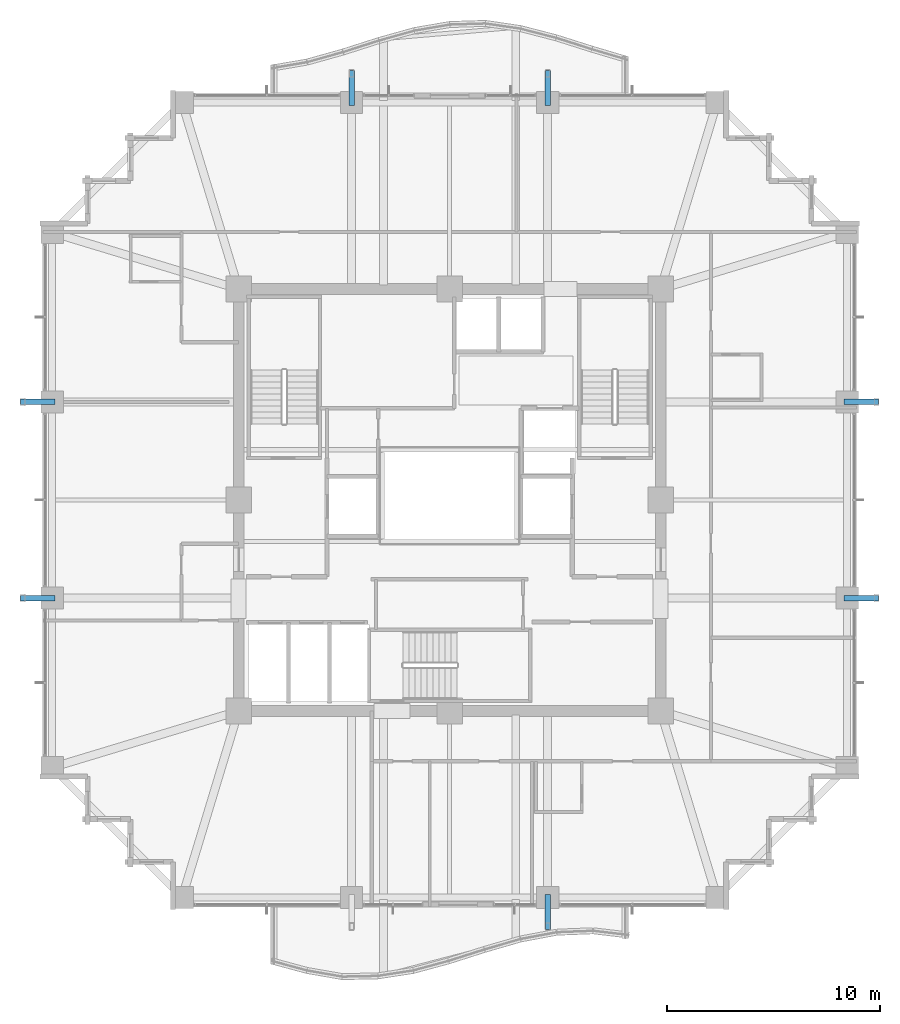
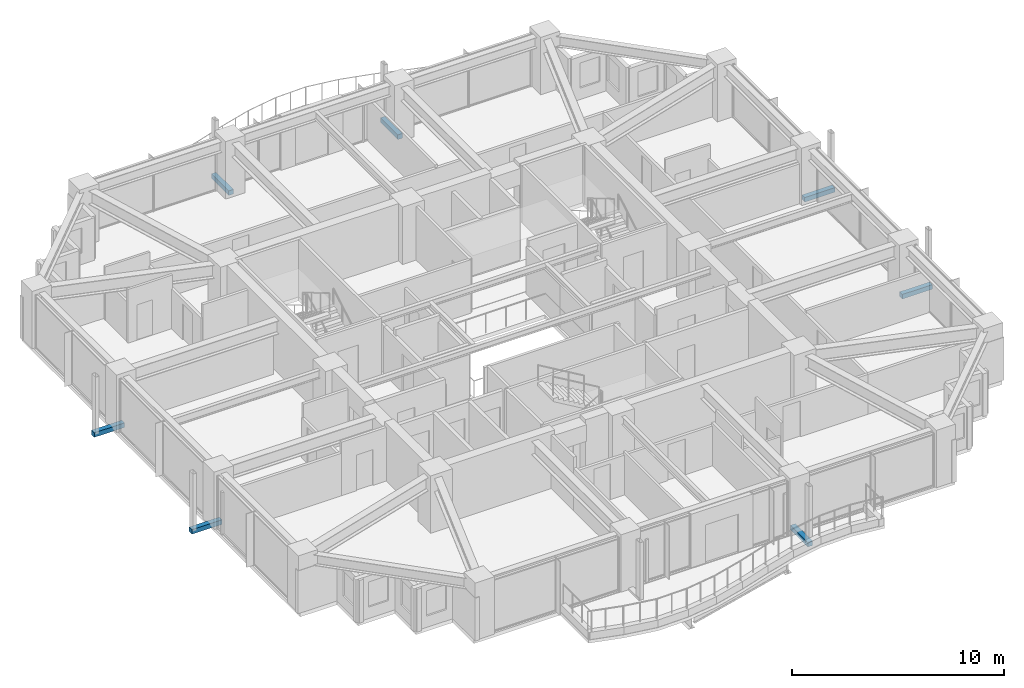
# One storey, part 29 of 31: 7 discrete accessories.
"""IFC4 building model written with IfcOpenShell, lengths in metres."""

from ifc_helpers import new_model, si_unit, direction, frame, origin, origin_2d, place, context, subcontext, project, spatial, rectangle, extrude, material, type_object, element, save


model = new_model("IFC4")

# Units and contexts
model_context = context("Model", 3, precision=1e-05, world=origin(), true_north=direction((0.0, 1.0)))
body_context = subcontext(model_context, "Body", "Model", "MODEL_VIEW")
ifc_project = project(units=[si_unit("LENGTHUNIT", "METRE"), si_unit("AREAUNIT", "SQUARE_METRE"), si_unit("VOLUMEUNIT", "CUBIC_METRE"), si_unit("PLANEANGLEUNIT", "RADIAN"), si_unit("MASSUNIT", "GRAM", prefix="KILO")], contexts=[model_context])

# Site, building, storey
site_placement = place(None, origin())
site = spatial("IfcSite", under=ifc_project, at=site_placement, CompositionType="ELEMENT")
building_placement = place(site_placement, origin())
building = spatial("IfcBuilding", under=site, at=building_placement, Name="Kolvaren Belvedere", CompositionType="ELEMENT")
storey_placement = place(building_placement, frame((0.0, 0.0, 118.39990234375)))
storey = spatial("IfcBuildingStorey", under=building, at=storey_placement, Name="L34", CompositionType="ELEMENT", Elevation=118.39990234375)

# Discrete accessories
ifc_material = material(Name="Structural steel ASTM A572 Grade 50", Category="steel")
discrete_accessory_type = type_object("IfcDiscreteAccessoryType", Name="BRK-1 Steel Facade Support Bracket", PredefinedType="BRACKET", material=ifc_material)
for number, where, z_axis, x_axis, name in (
    (1, (-4.60009765625, 19.3349609375, -0.169921875), (0.0, 0.0, 1.0), (0.0, 1.0, 0.0), "L34 Picture-Frame Outrigger Cleat Bracket N1"),
    (2, (4.60009765625, 19.3349609375, -0.169921875), (0.0, 0.0, 1.0), (0.0, 1.0, 0.0), "L34 Picture-Frame Outrigger Cleat Bracket N2"),
    (3, (4.60009765625, -19.3349609375, -0.169921875), (0.0, 0.0, 1.0), (0.0, 1.0, 0.0), "L34 Picture-Frame Outrigger Cleat Bracket S1"),
    (4, (19.3349609375, 4.60009765625, -0.169921875), (0.0, 0.0, 1.0), (1.0, 0.0, 0.0), "L34 Picture-Frame Outrigger Cleat Bracket E1"),
    (5, (19.3349609375, -4.60009765625, -0.169921875), (0.0, 0.0, 1.0), (1.0, 0.0, 0.0), "L34 Picture-Frame Outrigger Cleat Bracket E2"),
    (6, (-19.3349609375, -4.60009765625, -0.169921875), (0.0, 0.0, 1.0), (1.0, 0.0, 0.0), "L34 Picture-Frame Outrigger Cleat Bracket W1"),
    (7, (-19.3349609375, 4.60009765625, -0.169921875), (0.0, 0.0, 1.0), (1.0, 0.0, 0.0), "L34 Picture-Frame Outrigger Cleat Bracket W2"),
):
    element("IfcDiscreteAccessory", number, at=place(storey_placement, frame(where, z_axis=z_axis, x_axis=x_axis)), inside=storey, type_object=discrete_accessory_type, Name=name, PredefinedType="BRACKET", context=body_context, shape_type="SweptSolid", body=[
        extrude(rectangle(XDim=1.639892578125, YDim=0.260009765625, at=origin_2d()), origin(), (0.0, 0.0, 1.0), 0.260009765625),
    ])

save(model, "model.ifc")
